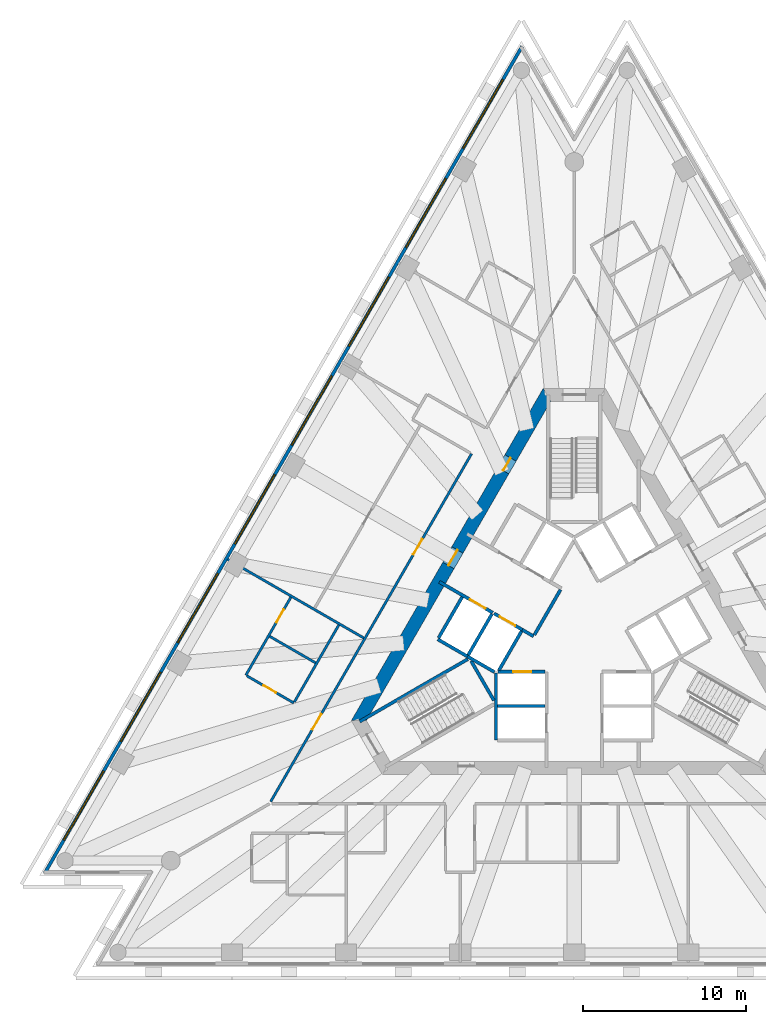
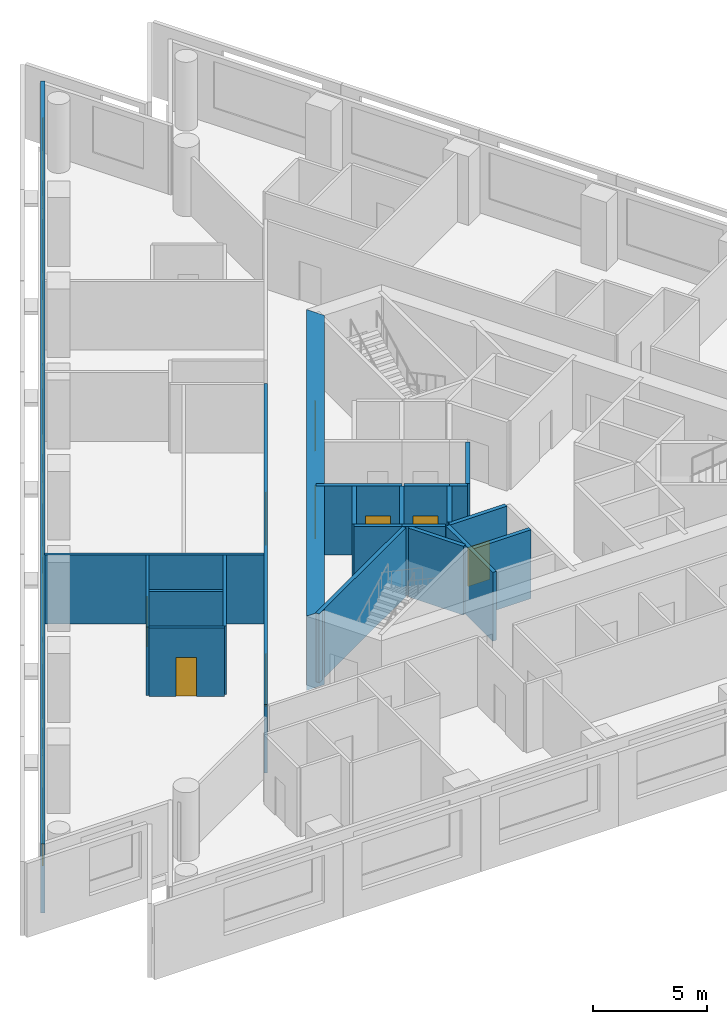
# One storey, part 4 of 10: 22 walls, 9 doors, 8 windows, 17 openings.
"""IFC4 building model written with IfcOpenShell, lengths in metres."""

from ifc_helpers import new_model, si_unit, direction, frame, frame_2d, origin, place, context, subcontext, project, spatial, polyline, rectangle, outline, extrude, material, layer, layer_set, layer_usage, type_object, element, fill, save


model = new_model("IFC4")

# Units and contexts
model_context = context("Model", 3, precision=1e-05, world=origin(), true_north=direction((0.0, 1.0)))
body_context = subcontext(model_context, "Body", "Model", "MODEL_VIEW")
ifc_project = project(units=[si_unit("LENGTHUNIT", "METRE"), si_unit("AREAUNIT", "SQUARE_METRE"), si_unit("VOLUMEUNIT", "CUBIC_METRE"), si_unit("PLANEANGLEUNIT", "RADIAN"), si_unit("MASSUNIT", "GRAM", prefix="KILO")], contexts=[model_context])

# Site, building, storey
site_placement = place(None, origin())
site = spatial("IfcSite", under=ifc_project, at=site_placement, CompositionType="ELEMENT")
building_placement = place(site_placement, origin())
building = spatial("IfcBuilding", under=site, at=building_placement, Name="Triada Interchange Tower", CompositionType="ELEMENT")
storey_placement = place(building_placement, frame((0.0, 0.0, 104.300048828125)))
storey = spatial("IfcBuildingStorey", under=building, at=storey_placement, Name="L23", CompositionType="ELEMENT", Elevation=104.300048828125)

# Walls
ifc_material_1 = material(Name="Concrete C30/37", Category="concrete")
ifc_layer_1 = layer(ifc_material_1, 0.199951171875)
ifc_layer_set_1 = layer_set([ifc_layer_1], Name="CORE WALL 200 EI 120")
wall_type_1 = type_object("IfcWallType", Name="CORE WALL 200 EI 120", PredefinedType="SOLIDWALL", material=ifc_layer_set_1)
wall_1_placement = place(storey_placement, frame((-8.3759765625, -0.70703125, 0.0), z_axis=(0.0, 0.0, 1.0), x_axis=(0.866067520717, -0.499927044236, 0.0)))
element("IfcWall", 1, at=wall_1_placement, inside=storey, type_object=wall_type_1, Name="Wall L23 64", PredefinedType="SOLIDWALL", context=body_context, shape_type="SweptSolid", body=[
    extrude(rectangle(XDim=2.100341796875, YDim=0.199951171875, at=frame_2d((1.05029296875, 0.0))), origin(), (0.0, 0.0, 1.0), 3.699951171875),
])
wall_2_placement = place(storey_placement, frame((-8.325927734375, -0.6201171875, 0.0), z_axis=(0.0, 0.0, 1.0), x_axis=(0.500023687443, 0.866011727401, 0.0)))
element("IfcWall", 2, at=wall_2_placement, inside=storey, type_object=wall_type_1, Name="Wall L23 65", PredefinedType="SOLIDWALL", context=body_context, shape_type="SweptSolid", body=[
    extrude(rectangle(XDim=2.899658203125, YDim=0.199951171875, at=frame_2d((1.44970703125, 0.0))), origin(), (0.0, 0.0, 1.0), 3.699951171875),
])
wall_3_placement = place(storey_placement, frame((-4.699951171875, -4.800048828125, 0.0), z_axis=(0.0, 0.0, 1.0), x_axis=(1.0, 0.0, 0.0)))
element("IfcWall", 3, at=wall_3_placement, inside=storey, type_object=wall_type_1, Name="Wall L23 66", PredefinedType="SOLIDWALL", context=body_context, shape_type="SweptSolid", body=[
    extrude(rectangle(XDim=2.89990234375, YDim=0.199951171875, at=frame_2d((1.449951171875, 0.0))), origin(), (0.0, 0.0, 1.0), 3.699951171875),
])
wall_4_placement = place(storey_placement, frame((-4.800048828125, -6.89990234375, 0.0), z_axis=(0.0, 0.0, 1.0), x_axis=(0.0, 1.0, 0.0)))
element("IfcWall", 4, at=wall_4_placement, inside=storey, type_object=wall_type_1, Name="Wall L23 68", PredefinedType="SOLIDWALL", context=body_context, shape_type="SweptSolid", body=[
    extrude(rectangle(XDim=4.130859375, YDim=0.199951171875, at=frame_2d((2.0654296875, 0.0))), origin(), (0.0, 0.0, 1.0), 3.699951171875),
])

# Wall, opening, door
wall_5_placement = place(storey_placement, frame((-4.676025390625, -2.699951171875, 0.0), z_axis=(0.0, 0.0, 1.0), x_axis=(1.0, 0.0, 0.0)))
wall_5 = element("IfcWall", 5, at=wall_5_placement, inside=storey, type_object=wall_type_1, Name="Wall L23 72", PredefinedType="SOLIDWALL", context=body_context, shape_type="SweptSolid", body=[
    extrude(rectangle(XDim=2.873046875, YDim=0.199951171875, at=frame_2d((1.4365234375, 0.0))), origin(), (0.0, 0.0, 1.0), 3.699951171875),
])
opening_1_placement = place(wall_5_placement, frame((0.93701171875, 0.0, 0.0)))
opening_1 = element("IfcOpeningElement", 6, at=opening_1_placement, cuts=wall_5, Name="Opening LD-LR3", PredefinedType="OPENING", context=body_context, shape_type="SweptSolid", body=[
    extrude(rectangle(XDim=1.10009765625, YDim=2.10009765625, at=frame_2d((0.550048828125, 1.050048828125))), frame((0.0, 0.10986328125, 0.0), z_axis=(0.0, -1.0, 0.0), x_axis=(1.0, 0.0, 0.0)), (0.0, 0.0, 1.0), 0.219970703125),
])
ifc_material_2 = material(Name="Steel S235 door leaf", Category="steel")
door_type_1 = type_object("IfcDoorType", Name="LIFT LANDING DOOR 1100 EI 120", OperationType="SLIDING_TO_LEFT", PredefinedType="DOOR", material=ifc_material_2)
door_1_placement = place(opening_1_placement, origin())
door_1 = element("IfcDoor", 7, at=door_1_placement, inside=storey, type_object=door_type_1, Name="LR3 landing door L23", OperationType="SLIDING_TO_LEFT", OverallHeight=2.10009765625, OverallWidth=1.10009765625, PredefinedType="DOOR", context=body_context, shape_type="SweptSolid", body=[
    extrude(rectangle(XDim=1.10009765625, YDim=2.10009765625, at=frame_2d((0.550048828125, 1.050048828125))), frame((0.0, 0.02490234375, 0.0), z_axis=(0.0, -1.0, 0.0), x_axis=(1.0, 0.0, 0.0)), (0.0, 0.0, 1.0), 0.050048828125),
])
fill(opening_1, door_1)

ifc_layer_2 = layer(ifc_material_1, 0.199951171875)
ifc_layer_set_2 = layer_set([ifc_layer_2], Name="CORE WALL 200 EI 180")
wall_type_2 = type_object("IfcWallType", Name="CORE WALL 200 EI 180", PredefinedType="SOLIDWALL", material=ifc_layer_set_2)
wall_6_placement = place(storey_placement, frame((-8.280029296875, 2.818115234375, 0.0), z_axis=(0.0, 0.0, 1.0), x_axis=(0.86600175068, -0.50004096614, 0.0)))
wall_6 = element("IfcWall", 8, at=wall_6_placement, inside=storey, type_object=wall_type_2, Name="Wall L23 86", PredefinedType="SOLIDWALL", context=body_context, shape_type="SweptSolid", body=[
    extrude(rectangle(XDim=3.781982421875, YDim=0.199951171875, at=frame_2d((1.89111328125, 0.0))), origin(), (0.0, 0.0, 1.0), 3.699951171875),
])
opening_2_placement = place(wall_6_placement, frame((2.179931640625, 0.0, 0.0)))
opening_2 = element("IfcOpeningElement", 9, at=opening_2_placement, cuts=wall_6, Name="Opening LD-SV1", PredefinedType="OPENING", context=body_context, shape_type="SweptSolid", body=[
    extrude(rectangle(XDim=1.10009765625, YDim=2.10009765625, at=frame_2d((0.550048828125, 1.050048828125))), frame((0.0, 0.10986328125, 0.0), z_axis=(0.0, -1.0, 0.0), x_axis=(1.0, 0.0, 0.0)), (0.0, 0.0, 1.0), 0.219970703125),
])
door_2_placement = place(opening_2_placement, origin())
door_2 = element("IfcDoor", 10, at=door_2_placement, inside=storey, type_object=door_type_1, Name="SV1 landing door L23", OperationType="SLIDING_TO_LEFT", OverallHeight=2.10009765625, OverallWidth=1.10009765625, PredefinedType="DOOR", context=body_context, shape_type="SweptSolid", body=[
    extrude(rectangle(XDim=1.10009765625, YDim=2.10009765625, at=frame_2d((0.550048828125, 1.050048828125))), frame((0.0, 0.02490234375, 0.0), z_axis=(0.0, -1.0, 0.0), x_axis=(1.0, 0.0, 0.0)), (0.0, 0.0, 1.0), 0.050048828125),
])
fill(opening_2, door_2)

# Walls
wall_7_placement = place(storey_placement, frame((-3.18798828125, -0.1220703125, 0.0), z_axis=(0.0, 0.0, 1.0), x_axis=(0.865705793592, -0.50055317294, 0.0)))
element("IfcWall", 11, at=wall_7_placement, inside=storey, type_object=wall_type_2, Name="Wall L23 87", PredefinedType="SOLIDWALL", context=body_context, shape_type="SweptSolid", body=[
    extrude(rectangle(XDim=0.796875, YDim=0.199951171875, at=frame_2d((0.3984375, 0.0))), origin(), (0.0, 0.0, 1.0), 3.699951171875),
])
wall_8_placement = place(storey_placement, frame((-2.444091796875, -0.43310546875, 0.0), z_axis=(0.0, 0.0, 1.0), x_axis=(0.500035624827, 0.866004834804, 0.0)))
element("IfcWall", 12, at=wall_8_placement, inside=storey, type_object=wall_type_2, Name="Wall L23 92", PredefinedType="SOLIDWALL", context=body_context, shape_type="SweptSolid", body=[
    extrude(rectangle(XDim=3.194091796875, YDim=0.199951171875, at=frame_2d((1.59716796875, 0.0))), origin(), (0.0, 0.0, 1.0), 3.699951171875),
])
wall_9_placement = place(storey_placement, frame((-6.556884765625, -1.757080078125, 0.0), z_axis=(0.0, 0.0, 1.0), x_axis=(0.8659754619, -0.500086491905, 0.0)))
element("IfcWall", 13, at=wall_9_placement, inside=storey, type_object=wall_type_2, Name="Shaft wall FF1 L23 93", PredefinedType="SOLIDWALL", context=body_context, shape_type="SweptSolid", body=[
    extrude(rectangle(XDim=1.915771484375, YDim=0.199951171875, at=frame_2d((0.9580078125, 0.0))), origin(), (0.0, 0.0, 1.0), 3.699951171875),
])
wall_10_placement = place(storey_placement, frame((-6.507080078125, -1.669921875, 0.0), z_axis=(0.0, 0.0, 1.0), x_axis=(0.50012328804, 0.865954211699, 0.0)))
element("IfcWall", 14, at=wall_10_placement, inside=storey, type_object=wall_type_2, Name="Shaft wall FF1 L23 94", PredefinedType="SOLIDWALL", context=body_context, shape_type="SweptSolid", body=[
    extrude(rectangle(XDim=2.899658203125, YDim=0.199951171875, at=frame_2d((1.44970703125, 0.0))), origin(), (0.0, 0.0, 1.0), 3.699951171875),
])

# Wall, opening, door
wall_11_placement = place(storey_placement, frame((-4.919921875, 0.8779296875, 0.0), z_axis=(0.0, 0.0, 1.0), x_axis=(0.866010750942, -0.50002537861, 0.0)))
wall_11 = element("IfcWall", 15, at=wall_11_placement, inside=storey, type_object=wall_type_2, Name="Shaft wall FF1 L23 95", PredefinedType="SOLIDWALL", context=body_context, shape_type="SweptSolid", body=[
    extrude(rectangle(XDim=2.0, YDim=0.199951171875, at=frame_2d((1.0, 0.0))), origin(), (0.0, 0.0, 1.0), 3.699951171875),
])
opening_3_placement = place(wall_11_placement, frame((0.39990234375, 0.0, 0.0)))
opening_3 = element("IfcOpeningElement", 16, at=opening_3_placement, cuts=wall_11, Name="Opening LD-FF1", PredefinedType="OPENING", context=body_context, shape_type="SweptSolid", body=[
    extrude(rectangle(XDim=1.10009765625, YDim=2.10009765625, at=frame_2d((0.550048828125, 1.050048828125))), frame((0.0, 0.10986328125, 0.0), z_axis=(0.0, -1.0, 0.0), x_axis=(1.0, 0.0, 0.0)), (0.0, 0.0, 1.0), 0.219970703125),
])
door_3_placement = place(opening_3_placement, origin())
door_3 = element("IfcDoor", 17, at=door_3_placement, inside=storey, type_object=door_type_1, Name="FF1 landing door L23", OperationType="SLIDING_TO_LEFT", OverallHeight=2.10009765625, OverallWidth=1.10009765625, PredefinedType="DOOR", context=body_context, shape_type="SweptSolid", body=[
    extrude(rectangle(XDim=1.10009765625, YDim=2.10009765625, at=frame_2d((0.550048828125, 1.050048828125))), frame((0.0, 0.02490234375, 0.0), z_axis=(0.0, -1.0, 0.0), x_axis=(1.0, 0.0, 0.0)), (0.0, 0.0, 1.0), 0.050048828125),
])
fill(opening_3, door_3)

# Walls
wall_12_placement = place(storey_placement, frame((-4.618896484375, -2.60009765625, 0.0), z_axis=(0.0, 0.0, 1.0), x_axis=(0.50009492287, 0.865970593103, 0.0)))
element("IfcWall", 18, at=wall_12_placement, inside=storey, type_object=wall_type_2, Name="Shaft wall FF1 L23 96", PredefinedType="SOLIDWALL", context=body_context, shape_type="SweptSolid", body=[
    extrude(rectangle(XDim=2.76123046875, YDim=0.199951171875, at=frame_2d((1.380615234375, 0.0))), origin(), (0.0, 0.0, 1.0), 3.699951171875),
])
ifc_layer_3 = layer(ifc_material_1, 0.199951171875)
ifc_layer_set_3 = layer_set([ifc_layer_3], Name="CORE WALL 200 REI 240")
wall_type_3 = type_object("IfcWallType", Name="CORE WALL 200 REI 240", PredefinedType="SOLIDWALL", material=ifc_layer_set_3)
wall_13_placement = place(storey_placement, frame((-13.1669921875, -5.75390625, 0.0), z_axis=(0.0, 0.0, 1.0), x_axis=(0.866060938598, 0.499938446846, 0.0)))
element("IfcWall", 19, at=wall_13_placement, inside=storey, type_object=wall_type_3, Name="Wall L23 103", PredefinedType="SOLIDWALL", context=body_context, shape_type="SweptSolid", body=[
    extrude(rectangle(XDim=7.66455078125, YDim=0.199951171875, at=frame_2d((3.832275390625, 0.0))), origin(), (0.0, 0.0, 1.0), 3.699951171875),
])
wall_14_placement = place(storey_placement, frame((-6.3291015625, -2.0380859375, 0.0), z_axis=(0.0, 0.0, 1.0), x_axis=(0.500200581029, -0.865909567298, 0.0)))
element("IfcWall", 20, at=wall_14_placement, inside=storey, type_object=wall_type_3, Name="Wall L23 104", PredefinedType="SOLIDWALL", context=body_context, shape_type="SweptSolid", body=[
    extrude(rectangle(XDim=2.799072265625, YDim=0.199951171875, at=frame_2d((1.3994140625, 0.0))), origin(), (0.0, 0.0, 1.0), 3.699951171875),
])

# Wall, openings, doors
ifc_material_3 = material(Name="Concrete C60/75", Category="concrete")
ifc_layer_4 = layer(ifc_material_3, 0.800048828125)
ifc_layer_set_4 = layer_set([ifc_layer_4], Name="Core wall B 800")
wall_type_4 = type_object("IfcWallType", Name="Core wall B 800", PredefinedType="SHEAR", material=ifc_layer_set_4)
wall_15_placement = place(storey_placement, frame((-1.674072265625, 14.300048828125, -0.300048828125), z_axis=(0.0, 0.0, 1.0), x_axis=(-0.499995765644, -0.866027848477, 0.0)))
wall_15 = element("IfcWall", 21, at=wall_15_placement, inside=storey, type_object=wall_type_4, Name="Core wall WB02 L23", PredefinedType="SHEAR", context=body_context, shape_type="SweptSolid", body=[
    extrude(outline(polyline([(-0.23095703125, -0.39990234375), (1.73193359375, -0.39990234375), (3.695068359375, -0.39990234375), (5.657958984375, -0.39990234375), (7.62109375, -0.39990234375), (9.583984375, -0.39990234375), (11.546875, -0.39990234375), (13.510009765625, -0.39990234375), (15.472900390625, -0.39990234375), (17.43603515625, -0.39990234375), (19.39892578125, -0.39990234375), (21.362060546875, -0.39990234375), (23.324951171875, -0.39990234375), (22.863037109375, 0.39990234375), (20.97705078125, 0.39990234375), (19.091064453125, 0.39990234375), (17.205078125, 0.39990234375), (15.319091796875, 0.39990234375), (13.43310546875, 0.39990234375), (11.546875, 0.39990234375), (9.660888671875, 0.39990234375), (7.77490234375, 0.39990234375), (5.888916015625, 0.39990234375), (4.0029296875, 0.39990234375), (2.116943359375, 0.39990234375), (0.23095703125, 0.39990234375), (-0.23095703125, -0.39990234375)])), origin(), (0.0, 0.0, 1.0), 4.0),
])
opening_4_placement = place(wall_15_placement, frame((10.9970703125, 0.0, 0.300048828125)))
opening_4 = element("IfcOpeningElement", 22, at=opening_4_placement, cuts=wall_15, Name="Opening D23-46", PredefinedType="OPENING", context=body_context, shape_type="SweptSolid", body=[
    extrude(rectangle(XDim=1.10009765625, YDim=2.10009765625, at=frame_2d((0.550048828125, 1.050048828125))), frame((0.0, 0.409912109375, 0.0), z_axis=(0.0, -1.0, 0.0), x_axis=(1.0, 0.0, 0.0)), (0.0, 0.0, 1.0), 0.820068359375),
])
opening_5_placement = place(wall_15_placement, frame((4.47412109375, 0.0, 0.300048828125)))
opening_5 = element("IfcOpeningElement", 23, at=opening_5_placement, cuts=wall_15, Name="Opening D23-48", PredefinedType="OPENING", context=body_context, shape_type="SweptSolid", body=[
    extrude(rectangle(XDim=0.89990234375, YDim=2.10009765625, at=frame_2d((0.449951171875, 1.050048828125))), frame((0.0, 0.409912109375, 0.0), z_axis=(0.0, -1.0, 0.0), x_axis=(1.0, 0.0, 0.0)), (0.0, 0.0, 1.0), 0.820068359375),
])
door_type_2 = type_object("IfcDoorType", Name="FIRE LOBBY DOOR 1100 EI2 90-C5S200", OperationType="NOTDEFINED", PredefinedType="DOOR", material=ifc_material_2)
door_4_placement = place(opening_4_placement, origin())
door_4 = element("IfcDoor", 24, at=door_4_placement, inside=storey, type_object=door_type_2, Name="Door D23-46 L23", OperationType="SINGLE_SWING_LEFT", OverallHeight=2.10009765625, OverallWidth=1.10009765625, PredefinedType="DOOR", context=body_context, shape_type="SweptSolid", body=[
    extrude(rectangle(XDim=1.10009765625, YDim=2.10009765625, at=frame_2d((0.550048828125, 1.050048828125))), frame((0.0, 0.02490234375, 0.0), z_axis=(0.0, -1.0, 0.0), x_axis=(1.0, 0.0, 0.0)), (0.0, 0.0, 1.0), 0.050048828125),
])
fill(opening_4, door_4)
door_type_3 = type_object("IfcDoorType", Name="SERVICE DOOR 900 EI2 45-C5S200", OperationType="NOTDEFINED", PredefinedType="DOOR", material=ifc_material_2)
door_5_placement = place(opening_5_placement, origin())
door_5 = element("IfcDoor", 25, at=door_5_placement, inside=storey, type_object=door_type_3, Name="Door D23-48 L23", OperationType="SINGLE_SWING_RIGHT", OverallHeight=2.10009765625, OverallWidth=0.89990234375, PredefinedType="DOOR", context=body_context, shape_type="SweptSolid", body=[
    extrude(rectangle(XDim=0.89990234375, YDim=2.10009765625, at=frame_2d((0.449951171875, 1.050048828125))), frame((0.0, 0.02490234375, 0.0), z_axis=(0.0, -1.0, 0.0), x_axis=(1.0, 0.0, 0.0)), (0.0, 0.0, 1.0), 0.050048828125),
])
fill(opening_5, door_5)

# Wall, openings, windows
ifc_material_4 = material(Name="Cement board")
ifc_layer_5 = layer(ifc_material_4, 0.02001953125, Name="Cement board cladding")
ifc_material_5 = material(Name="Sheathing board")
ifc_layer_6 = layer(ifc_material_5, 0.014892578125, Name="Sheathing board")
ifc_material_6 = material(Name="Mineral wool")
ifc_layer_7 = layer(ifc_material_6, 0.14990234375, Name="Mineral wool between steel studs")
ifc_material_7 = material(Name="Gypsum board")
ifc_layer_8 = layer(ifc_material_7, 0.014892578125, Name="Plasterboard lining")
ifc_layer_set_5 = layer_set([ifc_layer_5, ifc_layer_6, ifc_layer_7, ifc_layer_8], Name="External wall 200")
ifc_layer_usage = layer_usage(ifc_layer_set_5, "AXIS2", "POSITIVE", -0.10009765625)
wall_type_5 = type_object("IfcWallType", Name="External wall 200", PredefinedType="ELEMENTEDWALL", material=ifc_layer_set_5)
wall_16_placement = place(storey_placement, frame((-3.199951171875, 35.69091796875, 0.0), z_axis=(0.0, 0.0, 1.0), x_axis=(-0.500010127185, -0.866019556773, 0.0)))
wall_16 = element("IfcWall", 26, at=wall_16_placement, inside=storey, type_object=wall_type_5, material=ifc_layer_usage, Name="External wall L23 NW", PredefinedType="ELEMENTEDWALL", context=body_context, shape_type="SweptSolid", body=[
    extrude(rectangle(XDim=58.598876953125, YDim=0.199951171875, at=frame_2d((29.29931640625, 0.0))), origin(), (0.0, 0.0, 1.0), 3.699951171875),
])
opening_6_placement = place(wall_16_placement, frame((2.35302734375, 0.0, 0.89990234375)))
opening_6 = element("IfcOpeningElement", 27, at=opening_6_placement, cuts=wall_16, Name="Opening WB01", PredefinedType="OPENING", context=body_context, shape_type="SweptSolid", body=[
    extrude(rectangle(XDim=4.89990234375, YDim=2.5, at=frame_2d((2.449951171875, 1.25))), frame((0.0, 0.10986328125, 0.0), z_axis=(0.0, -1.0, 0.0), x_axis=(1.0, 0.0, 0.0)), (0.0, 0.0, 1.0), 0.219970703125),
])
opening_7_placement = place(wall_16_placement, frame((9.35498046875, 0.0, 0.89990234375)))
opening_7 = element("IfcOpeningElement", 28, at=opening_7_placement, cuts=wall_16, Name="Opening WB02", PredefinedType="OPENING", context=body_context, shape_type="SweptSolid", body=[
    extrude(rectangle(XDim=4.89990234375, YDim=2.5, at=frame_2d((2.449951171875, 1.25))), frame((0.0, 0.10986328125, 0.0), z_axis=(0.0, -1.0, 0.0), x_axis=(1.0, 0.0, 0.0)), (0.0, 0.0, 1.0), 0.219970703125),
])
opening_8_placement = place(wall_16_placement, frame((16.35693359375, 0.0, 0.89990234375)))
opening_8 = element("IfcOpeningElement", 29, at=opening_8_placement, cuts=wall_16, Name="Opening WB03", PredefinedType="OPENING", context=body_context, shape_type="SweptSolid", body=[
    extrude(rectangle(XDim=4.89990234375, YDim=2.5, at=frame_2d((2.449951171875, 1.25))), frame((0.0, 0.10986328125, 0.0), z_axis=(0.0, -1.0, 0.0), x_axis=(1.0, 0.0, 0.0)), (0.0, 0.0, 1.0), 0.219970703125),
])
opening_9_placement = place(wall_16_placement, frame((23.35791015625, 0.0, 0.89990234375)))
opening_9 = element("IfcOpeningElement", 30, at=opening_9_placement, cuts=wall_16, Name="Opening WB04", PredefinedType="OPENING", context=body_context, shape_type="SweptSolid", body=[
    extrude(rectangle(XDim=4.89990234375, YDim=2.5, at=frame_2d((2.449951171875, 1.25))), frame((0.0, 0.10986328125, 0.0), z_axis=(0.0, -1.0, 0.0), x_axis=(1.0, 0.0, 0.0)), (0.0, 0.0, 1.0), 0.219970703125),
])
opening_10_placement = place(wall_16_placement, frame((30.360107421875, 0.0, 0.89990234375)))
opening_10 = element("IfcOpeningElement", 31, at=opening_10_placement, cuts=wall_16, Name="Opening WB05", PredefinedType="OPENING", context=body_context, shape_type="SweptSolid", body=[
    extrude(rectangle(XDim=4.89990234375, YDim=2.5, at=frame_2d((2.449951171875, 1.25))), frame((0.0, 0.10986328125, 0.0), z_axis=(0.0, -1.0, 0.0), x_axis=(1.0, 0.0, 0.0)), (0.0, 0.0, 1.0), 0.219970703125),
])
opening_11_placement = place(wall_16_placement, frame((37.362060546875, 0.0, 0.89990234375)))
opening_11 = element("IfcOpeningElement", 32, at=opening_11_placement, cuts=wall_16, Name="Opening WB06", PredefinedType="OPENING", context=body_context, shape_type="SweptSolid", body=[
    extrude(rectangle(XDim=4.89990234375, YDim=2.5, at=frame_2d((2.449951171875, 1.25))), frame((0.0, 0.10986328125, 0.0), z_axis=(0.0, -1.0, 0.0), x_axis=(1.0, 0.0, 0.0)), (0.0, 0.0, 1.0), 0.219970703125),
])
opening_12_placement = place(wall_16_placement, frame((44.363037109375, 0.0, 0.89990234375)))
opening_12 = element("IfcOpeningElement", 33, at=opening_12_placement, cuts=wall_16, Name="Opening WB07", PredefinedType="OPENING", context=body_context, shape_type="SweptSolid", body=[
    extrude(rectangle(XDim=4.89990234375, YDim=2.5, at=frame_2d((2.449951171875, 1.25))), frame((0.0, 0.10986328125, 0.0), z_axis=(0.0, -1.0, 0.0), x_axis=(1.0, 0.0, 0.0)), (0.0, 0.0, 1.0), 0.219970703125),
])
opening_13_placement = place(wall_16_placement, frame((51.364990234375, 0.0, 0.89990234375)))
opening_13 = element("IfcOpeningElement", 34, at=opening_13_placement, cuts=wall_16, Name="Opening WB08", PredefinedType="OPENING", context=body_context, shape_type="SweptSolid", body=[
    extrude(rectangle(XDim=4.89990234375, YDim=2.5, at=frame_2d((2.449951171875, 1.25))), frame((0.0, 0.10986328125, 0.0), z_axis=(0.0, -1.0, 0.0), x_axis=(1.0, 0.0, 0.0)), (0.0, 0.0, 1.0), 0.219970703125),
])
ifc_material_8 = material(Name="Double glazed aluminium window", Category="aluminium")
window_type = type_object("IfcWindowType", Name="Ribbon window B face", PartitioningType="SINGLE_PANEL", PredefinedType="WINDOW", material=ifc_material_8)
window_1_placement = place(opening_6_placement, origin())
window_1 = element("IfcWindow", 35, at=window_1_placement, inside=storey, type_object=window_type, Name="Window L23 NW 1", OverallHeight=2.5, OverallWidth=4.89990234375, PartitioningType="SINGLE_PANEL", PredefinedType="WINDOW", context=body_context, shape_type="SweptSolid", body=[
    extrude(rectangle(XDim=4.89990234375, YDim=2.5, at=frame_2d((2.449951171875, 1.25))), frame((0.0, 0.030029296875, 0.0), z_axis=(0.0, -1.0, 0.0), x_axis=(1.0, 0.0, 0.0)), (0.0, 0.0, 1.0), 0.06005859375),
])
fill(opening_6, window_1)
window_2_placement = place(opening_7_placement, origin())
window_2 = element("IfcWindow", 36, at=window_2_placement, inside=storey, type_object=window_type, Name="Window L23 NW 2", OverallHeight=2.5, OverallWidth=4.89990234375, PartitioningType="SINGLE_PANEL", PredefinedType="WINDOW", context=body_context, shape_type="SweptSolid", body=[
    extrude(rectangle(XDim=4.89990234375, YDim=2.5, at=frame_2d((2.449951171875, 1.25))), frame((0.0, 0.030029296875, 0.0), z_axis=(0.0, -1.0, 0.0), x_axis=(1.0, 0.0, 0.0)), (0.0, 0.0, 1.0), 0.06005859375),
])
fill(opening_7, window_2)
window_3_placement = place(opening_8_placement, origin())
window_3 = element("IfcWindow", 37, at=window_3_placement, inside=storey, type_object=window_type, Name="Window L23 NW 3", OverallHeight=2.5, OverallWidth=4.89990234375, PartitioningType="SINGLE_PANEL", PredefinedType="WINDOW", context=body_context, shape_type="SweptSolid", body=[
    extrude(rectangle(XDim=4.89990234375, YDim=2.5, at=frame_2d((2.449951171875, 1.25))), frame((0.0, 0.030029296875, 0.0), z_axis=(0.0, -1.0, 0.0), x_axis=(1.0, 0.0, 0.0)), (0.0, 0.0, 1.0), 0.06005859375),
])
fill(opening_8, window_3)
window_4_placement = place(opening_9_placement, origin())
window_4 = element("IfcWindow", 38, at=window_4_placement, inside=storey, type_object=window_type, Name="Window L23 NW 4", OverallHeight=2.5, OverallWidth=4.89990234375, PartitioningType="SINGLE_PANEL", PredefinedType="WINDOW", context=body_context, shape_type="SweptSolid", body=[
    extrude(rectangle(XDim=4.89990234375, YDim=2.5, at=frame_2d((2.449951171875, 1.25))), frame((0.0, 0.030029296875, 0.0), z_axis=(0.0, -1.0, 0.0), x_axis=(1.0, 0.0, 0.0)), (0.0, 0.0, 1.0), 0.06005859375),
])
fill(opening_9, window_4)
window_5_placement = place(opening_10_placement, origin())
window_5 = element("IfcWindow", 39, at=window_5_placement, inside=storey, type_object=window_type, Name="Window L23 NW 5", OverallHeight=2.5, OverallWidth=4.89990234375, PartitioningType="SINGLE_PANEL", PredefinedType="WINDOW", context=body_context, shape_type="SweptSolid", body=[
    extrude(rectangle(XDim=4.89990234375, YDim=2.5, at=frame_2d((2.449951171875, 1.25))), frame((0.0, 0.030029296875, 0.0), z_axis=(0.0, -1.0, 0.0), x_axis=(1.0, 0.0, 0.0)), (0.0, 0.0, 1.0), 0.06005859375),
])
fill(opening_10, window_5)
window_6_placement = place(opening_11_placement, origin())
window_6 = element("IfcWindow", 40, at=window_6_placement, inside=storey, type_object=window_type, Name="Window L23 NW 6", OverallHeight=2.5, OverallWidth=4.89990234375, PartitioningType="SINGLE_PANEL", PredefinedType="WINDOW", context=body_context, shape_type="SweptSolid", body=[
    extrude(rectangle(XDim=4.89990234375, YDim=2.5, at=frame_2d((2.449951171875, 1.25))), frame((0.0, 0.030029296875, 0.0), z_axis=(0.0, -1.0, 0.0), x_axis=(1.0, 0.0, 0.0)), (0.0, 0.0, 1.0), 0.06005859375),
])
fill(opening_11, window_6)
window_7_placement = place(opening_12_placement, origin())
window_7 = element("IfcWindow", 41, at=window_7_placement, inside=storey, type_object=window_type, Name="Window L23 NW 7", OverallHeight=2.5, OverallWidth=4.89990234375, PartitioningType="SINGLE_PANEL", PredefinedType="WINDOW", context=body_context, shape_type="SweptSolid", body=[
    extrude(rectangle(XDim=4.89990234375, YDim=2.5, at=frame_2d((2.449951171875, 1.25))), frame((0.0, 0.030029296875, 0.0), z_axis=(0.0, -1.0, 0.0), x_axis=(1.0, 0.0, 0.0)), (0.0, 0.0, 1.0), 0.06005859375),
])
fill(opening_12, window_7)
window_8_placement = place(opening_13_placement, origin())
window_8 = element("IfcWindow", 42, at=window_8_placement, inside=storey, type_object=window_type, Name="Window L23 NW 8", OverallHeight=2.5, OverallWidth=4.89990234375, PartitioningType="SINGLE_PANEL", PredefinedType="WINDOW", context=body_context, shape_type="SweptSolid", body=[
    extrude(rectangle(XDim=4.89990234375, YDim=2.5, at=frame_2d((2.449951171875, 1.25))), frame((0.0, 0.030029296875, 0.0), z_axis=(0.0, -1.0, 0.0), x_axis=(1.0, 0.0, 0.0)), (0.0, 0.0, 1.0), 0.06005859375),
])
fill(opening_13, window_8)

# Wall
ifc_material_9 = material(Name="Gypsum board partition")
ifc_layer_9 = layer(ifc_material_9, 0.14990234375)
ifc_layer_set_6 = layer_set([ifc_layer_9], Name="PARTITION 150 EI 180")
wall_type_6 = type_object("IfcWallType", Name="PARTITION 150 EI 180", PredefinedType="PARTITIONING", material=ifc_layer_set_6)
wall_17_placement = place(storey_placement, frame((-21.285888671875, 4.205078125, 0.0), z_axis=(0.0, 0.0, 1.0), x_axis=(0.866007579589, -0.500030871142, 0.0)))
element("IfcWall", 43, at=wall_17_placement, inside=storey, type_object=wall_type_6, Name="Wall L23 3", PredefinedType="PARTITIONING", context=body_context, shape_type="SweptSolid", body=[
    extrude(rectangle(XDim=9.66162109375, YDim=0.14990234375, at=frame_2d((4.830810546875, 0.0))), origin(), (0.0, 0.0, 1.0), 3.699951171875),
])

# Wall, openings, doors
wall_18_placement = place(storey_placement, frame((-18.631103515625, -10.6689453125, 0.0), z_axis=(0.0, 0.0, 1.0), x_axis=(0.500015596868, 0.866016398741, 0.0)))
wall_18 = element("IfcWall", 44, at=wall_18_placement, inside=storey, type_object=wall_type_6, Name="Wall L23 6", PredefinedType="PARTITIONING", context=body_context, shape_type="SweptSolid", body=[
    extrude(rectangle(XDim=24.655517578125, YDim=0.14990234375, at=frame_2d((12.32763671875, 0.0))), origin(), (0.0, 0.0, 1.0), 3.699951171875),
])
opening_14_placement = place(wall_18_placement, frame((17.507080078125, 0.0, 0.0)))
opening_14 = element("IfcOpeningElement", 45, at=opening_14_placement, cuts=wall_18, Name="Opening D23-37", PredefinedType="OPENING", context=body_context, shape_type="SweptSolid", body=[
    extrude(rectangle(XDim=1.10009765625, YDim=2.10009765625, at=frame_2d((0.550048828125, 1.050048828125))), frame((0.0, 0.0849609375, 0.0), z_axis=(0.0, -1.0, 0.0), x_axis=(1.0, 0.0, 0.0)), (0.0, 0.0, 1.0), 0.169921875),
])
opening_15_placement = place(wall_18_placement, frame((5.10400390625, 0.0, 0.0)))
opening_15 = element("IfcOpeningElement", 46, at=opening_15_placement, cuts=wall_18, Name="Opening D23-39", PredefinedType="OPENING", context=body_context, shape_type="SweptSolid", body=[
    extrude(rectangle(XDim=1.10009765625, YDim=2.10009765625, at=frame_2d((0.550048828125, 1.050048828125))), frame((0.0, 0.0849609375, 0.0), z_axis=(0.0, -1.0, 0.0), x_axis=(1.0, 0.0, 0.0)), (0.0, 0.0, 1.0), 0.169921875),
])
door_type_4 = type_object("IfcDoorType", Name="TENANCY ENTRANCE DOOR 1100 EI2 90-C5S200", OperationType="NOTDEFINED", PredefinedType="DOOR", material=ifc_material_2)
door_6_placement = place(opening_14_placement, origin())
door_6 = element("IfcDoor", 47, at=door_6_placement, inside=storey, type_object=door_type_4, Name="Door D23-37 L23", OperationType="SINGLE_SWING_RIGHT", OverallHeight=2.10009765625, OverallWidth=1.10009765625, PredefinedType="DOOR", context=body_context, shape_type="SweptSolid", body=[
    extrude(rectangle(XDim=1.10009765625, YDim=2.10009765625, at=frame_2d((0.550048828125, 1.050048828125))), frame((0.0, 0.02490234375, 0.0), z_axis=(0.0, -1.0, 0.0), x_axis=(1.0, 0.0, 0.0)), (0.0, 0.0, 1.0), 0.050048828125),
])
fill(opening_14, door_6)
door_7_placement = place(opening_15_placement, origin())
door_7 = element("IfcDoor", 48, at=door_7_placement, inside=storey, type_object=door_type_4, Name="Door D23-39 L23", OperationType="SINGLE_SWING_LEFT", OverallHeight=2.10009765625, OverallWidth=1.10009765625, PredefinedType="DOOR", context=body_context, shape_type="SweptSolid", body=[
    extrude(rectangle(XDim=1.10009765625, YDim=2.10009765625, at=frame_2d((0.550048828125, 1.050048828125))), frame((0.0, 0.02490234375, 0.0), z_axis=(0.0, -1.0, 0.0), x_axis=(1.0, 0.0, 0.0)), (0.0, 0.0, 1.0), 0.050048828125),
])
fill(opening_15, door_7)

# Wall, opening, door
ifc_layer_10 = layer(ifc_material_9, 0.14990234375)
ifc_layer_set_7 = layer_set([ifc_layer_10], Name="PARTITION 150 EI 90")
wall_type_7 = type_object("IfcWallType", Name="PARTITION 150 EI 90", PredefinedType="PARTITIONING", material=ifc_layer_set_7)
wall_19_placement = place(storey_placement, frame((-20.156982421875, -2.9130859375, 0.0), z_axis=(0.0, 0.0, 1.0), x_axis=(0.499898410332, 0.866084048662, 0.0)))
wall_19 = element("IfcWall", 49, at=wall_19_placement, inside=storey, type_object=wall_type_7, Name="Wall L23 42", PredefinedType="PARTITIONING", context=body_context, shape_type="SweptSolid", body=[
    extrude(rectangle(XDim=5.525146484375, YDim=0.14990234375, at=frame_2d((2.7626953125, 0.0))), origin(), (0.0, 0.0, 1.0), 3.699951171875),
])
opening_16_placement = place(wall_19_placement, frame((3.75, 0.0, 0.0)))
opening_16 = element("IfcOpeningElement", 50, at=opening_16_placement, cuts=wall_19, Name="Opening D23-40", PredefinedType="OPENING", context=body_context, shape_type="SweptSolid", body=[
    extrude(rectangle(XDim=0.89990234375, YDim=2.10009765625, at=frame_2d((0.449951171875, 1.050048828125))), frame((0.0, 0.0849609375, 0.0), z_axis=(0.0, -1.0, 0.0), x_axis=(1.0, 0.0, 0.0)), (0.0, 0.0, 1.0), 0.169921875),
])
door_type_5 = type_object("IfcDoorType", Name="ROOM DOOR 900 EI2 45-C5S200", OperationType="NOTDEFINED", PredefinedType="DOOR", material=ifc_material_2)
door_8_placement = place(opening_16_placement, origin())
door_8 = element("IfcDoor", 51, at=door_8_placement, inside=storey, type_object=door_type_5, Name="Door D23-40 L23", OperationType="SINGLE_SWING_LEFT", OverallHeight=2.10009765625, OverallWidth=0.89990234375, PredefinedType="DOOR", context=body_context, shape_type="SweptSolid", body=[
    extrude(rectangle(XDim=0.89990234375, YDim=2.10009765625, at=frame_2d((0.449951171875, 1.050048828125))), frame((0.0, 0.02490234375, 0.0), z_axis=(0.0, -1.0, 0.0), x_axis=(1.0, 0.0, 0.0)), (0.0, 0.0, 1.0), 0.050048828125),
])
fill(opening_16, door_8)

wall_20_placement = place(storey_placement, frame((-20.092041015625, -2.950927734375, 0.0), z_axis=(0.0, 0.0, 1.0), x_axis=(0.866047399325, -0.49996190067, 0.0)))
wall_20 = element("IfcWall", 52, at=wall_20_placement, inside=storey, type_object=wall_type_7, Name="Wall L23 43", PredefinedType="PARTITIONING", context=body_context, shape_type="SweptSolid", body=[
    extrude(rectangle(XDim=3.324462890625, YDim=0.14990234375, at=frame_2d((1.662109375, 0.0))), origin(), (0.0, 0.0, 1.0), 3.699951171875),
])
opening_17_placement = place(wall_20_placement, frame((1.175048828125, 0.0, 0.0)))
opening_17 = element("IfcOpeningElement", 53, at=opening_17_placement, cuts=wall_20, Name="Opening D23-41", PredefinedType="OPENING", context=body_context, shape_type="SweptSolid", body=[
    extrude(rectangle(XDim=0.89990234375, YDim=2.10009765625, at=frame_2d((0.449951171875, 1.050048828125))), frame((0.0, 0.0849609375, 0.0), z_axis=(0.0, -1.0, 0.0), x_axis=(1.0, 0.0, 0.0)), (0.0, 0.0, 1.0), 0.169921875),
])
door_9_placement = place(opening_17_placement, origin())
door_9 = element("IfcDoor", 54, at=door_9_placement, inside=storey, type_object=door_type_5, Name="Door D23-41 L23", OperationType="SINGLE_SWING_RIGHT", OverallHeight=2.10009765625, OverallWidth=0.89990234375, PredefinedType="DOOR", context=body_context, shape_type="SweptSolid", body=[
    extrude(rectangle(XDim=0.89990234375, YDim=2.10009765625, at=frame_2d((0.449951171875, 1.050048828125))), frame((0.0, 0.02490234375, 0.0), z_axis=(0.0, -1.0, 0.0), x_axis=(1.0, 0.0, 0.0)), (0.0, 0.0, 1.0), 0.050048828125),
])
fill(opening_17, door_9)

# Walls
wall_21_placement = place(storey_placement, frame((-17.175048828125, -4.548095703125, 0.0), z_axis=(0.0, 0.0, 1.0), x_axis=(0.499983534837, 0.866034909742, 0.0)))
element("IfcWall", 55, at=wall_21_placement, inside=storey, type_object=wall_type_7, Name="Wall L23 44", PredefinedType="PARTITIONING", context=body_context, shape_type="SweptSolid", body=[
    extrude(rectangle(XDim=5.450439453125, YDim=0.14990234375, at=frame_2d((2.72509765625, 0.0))), origin(), (0.0, 0.0, 1.0), 3.699951171875),
])
wall_22_placement = place(storey_placement, frame((-18.69189453125, -0.52587890625, 0.0), z_axis=(0.0, 0.0, 1.0), x_axis=(0.865977875238, -0.500082312822, 0.0)))
element("IfcWall", 56, at=wall_22_placement, inside=storey, type_object=wall_type_7, Name="Wall L23 46", PredefinedType="PARTITIONING", context=body_context, shape_type="SweptSolid", body=[
    extrude(rectangle(XDim=3.24951171875, YDim=0.14990234375, at=frame_2d((1.624755859375, 0.0))), origin(), (0.0, 0.0, 1.0), 3.699951171875),
])

save(model, "model.ifc")
